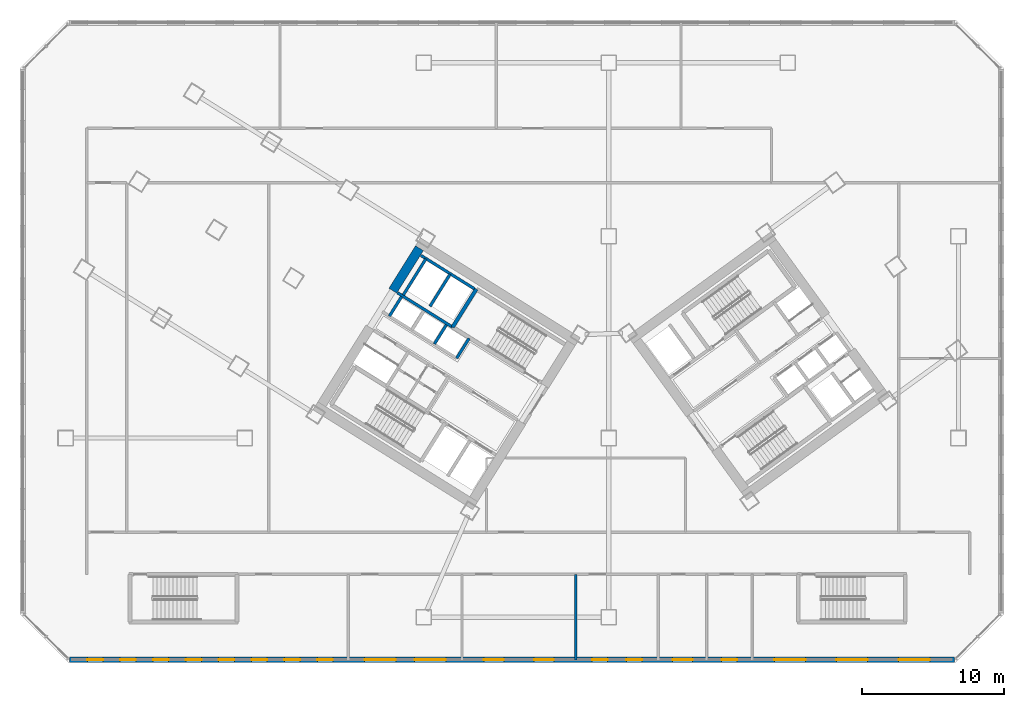
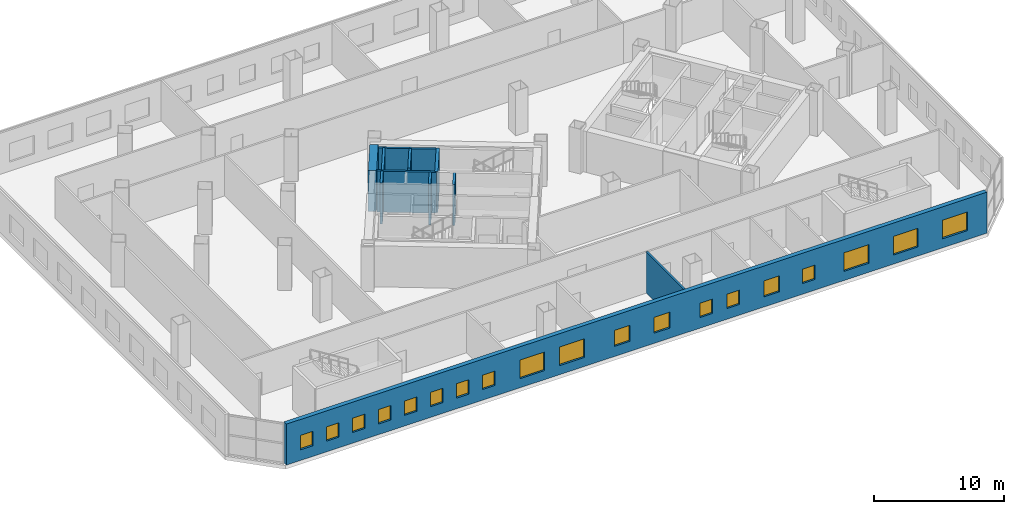
# One storey, part 11 of 22: 19 windows, 11 walls, 19 openings.
"""IFC4 building model written with IfcOpenShell, lengths in metres."""

from ifc_helpers import new_model, si_unit, direction, frame, frame_2d, origin, place, context, subcontext, project, spatial, rectangle, extrude, source, transform, mapped, material, layer, layer_set, type_object, element, fill, save


model = new_model("IFC4")

# Units and contexts
model_context = context("Model", 3, precision=1e-05, world=origin(), true_north=direction((0.0, 1.0)))
body_context = subcontext(model_context, "Body", "Model", "MODEL_VIEW")
ifc_project = project(units=[si_unit("LENGTHUNIT", "METRE"), si_unit("AREAUNIT", "SQUARE_METRE"), si_unit("VOLUMEUNIT", "CUBIC_METRE"), si_unit("PLANEANGLEUNIT", "RADIAN"), si_unit("MASSUNIT", "GRAM", prefix="KILO")], contexts=[model_context])

# Site, building, storey
site_placement = place(None, origin())
site = spatial("IfcSite", under=ifc_project, at=site_placement, CompositionType="ELEMENT")
building_placement = place(site_placement, origin())
building = spatial("IfcBuilding", under=site, at=building_placement, Name="Tlacorven Tower", CompositionType="ELEMENT")
storey_placement = place(building_placement, frame((0.0, 0.0, 14.39990234375)))
storey = spatial("IfcBuildingStorey", under=building, at=storey_placement, Name="L03", CompositionType="ELEMENT", Elevation=14.39990234375)

# Walls
ifc_material_1 = material(Name="Concrete C60/75", Category="concrete")
ifc_layer_1 = layer(ifc_material_1, 0.64990234375)
ifc_layer_set_1 = layer_set([ifc_layer_1], Name="Concrete C60/75")
wall_type_1 = type_object("IfcWallType", Name="WL-COR-650", PredefinedType="SHEAR", material=ifc_layer_set_1)
wall_1_placement = place(storey_placement, frame((29.49072265625, 30.5517578125, 0.0), z_axis=(0.0, 0.0, 1.0), x_axis=(-0.529893103397, -0.8480644427, 0.0)))
element("IfcWall", 1, at=wall_1_placement, inside=storey, type_object=wall_type_1, Name="L03 W core end wall E2.1", PredefinedType="SHEAR", context=body_context, shape_type="SweptSolid", body=[
    extrude(rectangle(XDim=3.525146484375, YDim=0.64990234375, at=frame_2d((1.7626953125, 0.0))), origin(), (0.0, 0.0, 1.0), 3.85009765625),
])
ifc_material_2 = material(Name="Gypsum plasterboard acoustic partition", Category="gypsum")
ifc_layer_2 = layer(ifc_material_2, 0.159912109375)
ifc_layer_set_2 = layer_set([ifc_layer_2], Name="Gypsum plasterboard acoustic partition")
wall_type_2 = type_object("IfcWallType", Name="WL-DEM-160", PredefinedType="PARTITIONING", material=ifc_layer_set_2)
wall_2_placement = place(storey_placement, frame((40.489990234375, 1.60009765625, 0.0), z_axis=(0.0, 0.0, 1.0), x_axis=(0.0, 1.0, 0.0)))
element("IfcWall", 2, at=wall_2_placement, inside=storey, type_object=wall_type_2, Name="L03 partition 71", PredefinedType="PARTITIONING", context=body_context, shape_type="SweptSolid", body=[
    extrude(rectangle(XDim=6.02001953125, YDim=0.159912109375, at=frame_2d((3.010009765625, 0.0))), origin(), (0.0, 0.0, 1.0), 3.840087890625),
])

# Wall, openings, windows
ifc_material_3 = material(Name="Precast concrete C45/55", Category="concrete")
ifc_layer_3 = layer(ifc_material_3, 0.3798828125)
ifc_layer_set_3 = layer_set([ifc_layer_3], Name="Precast concrete C45/55")
wall_type_3 = type_object("IfcWallType", Name="WL-EXT-380", PredefinedType="STANDARD", material=ifc_layer_set_3)
wall_3_placement = place(storey_placement, frame((67.1171875, 1.60009765625, 0.0), z_axis=(0.0, 0.0, 1.0), x_axis=(-1.0, 0.0, 0.0)))
wall_3 = element("IfcWall", 3, at=wall_3_placement, inside=storey, type_object=wall_type_3, Name="L03 Podium Masonry-Frame Facade Wall 8", PredefinedType="STANDARD", context=body_context, shape_type="SweptSolid", body=[
    extrude(rectangle(XDim=62.234375, YDim=0.3798828125, at=frame_2d((31.1171875, 0.0))), origin(), (0.0, 0.0, 1.0), 3.85009765625),
])
opening_1_placement = place(wall_3_placement, frame((1.734619140625, 0.0, 0.85009765625)))
opening_1 = element("IfcOpeningElement", 4, at=opening_1_placement, cuts=wall_3, Name="Opening WN14", PredefinedType="OPENING", context=body_context, shape_type="SweptSolid", body=[
    extrude(rectangle(XDim=2.199951171875, YDim=1.75, at=frame_2d((1.10009765625, 0.875))), frame((0.0, 0.199951171875, 0.0), z_axis=(0.0, -1.0, 0.0), x_axis=(1.0, 0.0, 0.0)), (0.0, 0.0, 1.0), 0.39990234375),
])
opening_2_placement = place(wall_3_placement, frame((6.103515625, 0.0, 0.85009765625)))
opening_2 = element("IfcOpeningElement", 5, at=opening_2_placement, cuts=wall_3, Name="Opening WN14", PredefinedType="OPENING", context=body_context, shape_type="SweptSolid", body=[
    extrude(rectangle(XDim=2.199951171875, YDim=1.75, at=frame_2d((1.10009765625, 0.875))), frame((0.0, 0.199951171875, 0.0), z_axis=(0.0, -1.0, 0.0), x_axis=(1.0, 0.0, 0.0)), (0.0, 0.0, 1.0), 0.39990234375),
])
opening_3_placement = place(wall_3_placement, frame((10.47265625, 0.0, 0.85009765625)))
opening_3 = element("IfcOpeningElement", 6, at=opening_3_placement, cuts=wall_3, Name="Opening WN14", PredefinedType="OPENING", context=body_context, shape_type="SweptSolid", body=[
    extrude(rectangle(XDim=2.199951171875, YDim=1.75, at=frame_2d((1.10009765625, 0.875))), frame((0.0, 0.199951171875, 0.0), z_axis=(0.0, -1.0, 0.0), x_axis=(1.0, 0.0, 0.0)), (0.0, 0.0, 1.0), 0.39990234375),
])
opening_4_placement = place(wall_3_placement, frame((15.277099609375, 0.0, 1.0)))
opening_4 = element("IfcOpeningElement", 7, at=opening_4_placement, cuts=wall_3, Name="Opening WN16", PredefinedType="OPENING", context=body_context, shape_type="SweptSolid", body=[
    extrude(rectangle(XDim=1.10009765625, YDim=1.35009765625, at=frame_2d((0.550048828125, 0.675048828125))), frame((0.0, 0.199951171875, 0.0), z_axis=(0.0, -1.0, 0.0), x_axis=(1.0, 0.0, 0.0)), (0.0, 0.0, 1.0), 0.39990234375),
])
opening_5_placement = place(wall_3_placement, frame((18.422119140625, 0.0, 0.949951171875)))
opening_5 = element("IfcOpeningElement", 8, at=opening_5_placement, cuts=wall_3, Name="Opening WN15", PredefinedType="OPENING", context=body_context, shape_type="SweptSolid", body=[
    extrude(rectangle(XDim=1.39990234375, YDim=1.5, at=frame_2d((0.699951171875, 0.75))), frame((0.0, 0.199951171875, 0.0), z_axis=(0.0, -1.0, 0.0), x_axis=(1.0, 0.0, 0.0)), (0.0, 0.0, 1.0), 0.39990234375),
])
opening_6_placement = place(wall_3_placement, frame((21.96728515625, 0.0, 1.0)))
opening_6 = element("IfcOpeningElement", 9, at=opening_6_placement, cuts=wall_3, Name="Opening WN16", PredefinedType="OPENING", context=body_context, shape_type="SweptSolid", body=[
    extrude(rectangle(XDim=1.10009765625, YDim=1.35009765625, at=frame_2d((0.550048828125, 0.675048828125))), frame((0.0, 0.199951171875, 0.0), z_axis=(0.0, -1.0, 0.0), x_axis=(1.0, 0.0, 0.0)), (0.0, 0.0, 1.0), 0.39990234375),
])
opening_7_placement = place(wall_3_placement, frame((24.38720703125, 0.0, 1.0)))
opening_7 = element("IfcOpeningElement", 10, at=opening_7_placement, cuts=wall_3, Name="Opening WN16", PredefinedType="OPENING", context=body_context, shape_type="SweptSolid", body=[
    extrude(rectangle(XDim=1.10009765625, YDim=1.35009765625, at=frame_2d((0.550048828125, 0.675048828125))), frame((0.0, 0.199951171875, 0.0), z_axis=(0.0, -1.0, 0.0), x_axis=(1.0, 0.0, 0.0)), (0.0, 0.0, 1.0), 0.39990234375),
])
opening_8_placement = place(wall_3_placement, frame((28.167236328125, 0.0, 0.949951171875)))
opening_8 = element("IfcOpeningElement", 11, at=opening_8_placement, cuts=wall_3, Name="Opening WN15", PredefinedType="OPENING", context=body_context, shape_type="SweptSolid", body=[
    extrude(rectangle(XDim=1.39990234375, YDim=1.5, at=frame_2d((0.699951171875, 0.75))), frame((0.0, 0.199951171875, 0.0), z_axis=(0.0, -1.0, 0.0), x_axis=(1.0, 0.0, 0.0)), (0.0, 0.0, 1.0), 0.39990234375),
])
opening_9_placement = place(wall_3_placement, frame((31.687255859375, 0.0, 0.949951171875)))
opening_9 = element("IfcOpeningElement", 12, at=opening_9_placement, cuts=wall_3, Name="Opening WN15", PredefinedType="OPENING", context=body_context, shape_type="SweptSolid", body=[
    extrude(rectangle(XDim=1.39990234375, YDim=1.5, at=frame_2d((0.699951171875, 0.75))), frame((0.0, 0.199951171875, 0.0), z_axis=(0.0, -1.0, 0.0), x_axis=(1.0, 0.0, 0.0)), (0.0, 0.0, 1.0), 0.39990234375),
])
opening_10_placement = place(wall_3_placement, frame((35.76708984375, 0.0, 0.85009765625)))
opening_10 = element("IfcOpeningElement", 13, at=opening_10_placement, cuts=wall_3, Name="Opening WN14", PredefinedType="OPENING", context=body_context, shape_type="SweptSolid", body=[
    extrude(rectangle(XDim=2.199951171875, YDim=1.75, at=frame_2d((1.10009765625, 0.875))), frame((0.0, 0.199951171875, 0.0), z_axis=(0.0, -1.0, 0.0), x_axis=(1.0, 0.0, 0.0)), (0.0, 0.0, 1.0), 0.39990234375),
])
opening_11_placement = place(wall_3_placement, frame((39.287109375, 0.0, 0.85009765625)))
opening_11 = element("IfcOpeningElement", 14, at=opening_11_placement, cuts=wall_3, Name="Opening WN14", PredefinedType="OPENING", context=body_context, shape_type="SweptSolid", body=[
    extrude(rectangle(XDim=2.199951171875, YDim=1.75, at=frame_2d((1.10009765625, 0.875))), frame((0.0, 0.199951171875, 0.0), z_axis=(0.0, -1.0, 0.0), x_axis=(1.0, 0.0, 0.0)), (0.0, 0.0, 1.0), 0.39990234375),
])
opening_12_placement = place(wall_3_placement, frame((43.7119140625, 0.0, 1.0)))
opening_12 = element("IfcOpeningElement", 15, at=opening_12_placement, cuts=wall_3, Name="Opening WN16", PredefinedType="OPENING", context=body_context, shape_type="SweptSolid", body=[
    extrude(rectangle(XDim=1.10009765625, YDim=1.35009765625, at=frame_2d((0.550048828125, 0.675048828125))), frame((0.0, 0.199951171875, 0.0), z_axis=(0.0, -1.0, 0.0), x_axis=(1.0, 0.0, 0.0)), (0.0, 0.0, 1.0), 0.39990234375),
])
opening_13_placement = place(wall_3_placement, frame((46.021484375, 0.0, 1.0)))
opening_13 = element("IfcOpeningElement", 16, at=opening_13_placement, cuts=wall_3, Name="Opening WN16", PredefinedType="OPENING", context=body_context, shape_type="SweptSolid", body=[
    extrude(rectangle(XDim=1.10009765625, YDim=1.35009765625, at=frame_2d((0.550048828125, 0.675048828125))), frame((0.0, 0.199951171875, 0.0), z_axis=(0.0, -1.0, 0.0), x_axis=(1.0, 0.0, 0.0)), (0.0, 0.0, 1.0), 0.39990234375),
])
opening_14_placement = place(wall_3_placement, frame((48.331298828125, 0.0, 1.0)))
opening_14 = element("IfcOpeningElement", 17, at=opening_14_placement, cuts=wall_3, Name="Opening WN16", PredefinedType="OPENING", context=body_context, shape_type="SweptSolid", body=[
    extrude(rectangle(XDim=1.10009765625, YDim=1.35009765625, at=frame_2d((0.550048828125, 0.675048828125))), frame((0.0, 0.199951171875, 0.0), z_axis=(0.0, -1.0, 0.0), x_axis=(1.0, 0.0, 0.0)), (0.0, 0.0, 1.0), 0.39990234375),
])
opening_15_placement = place(wall_3_placement, frame((50.640869140625, 0.0, 1.0)))
opening_15 = element("IfcOpeningElement", 18, at=opening_15_placement, cuts=wall_3, Name="Opening WN16", PredefinedType="OPENING", context=body_context, shape_type="SweptSolid", body=[
    extrude(rectangle(XDim=1.10009765625, YDim=1.35009765625, at=frame_2d((0.550048828125, 0.675048828125))), frame((0.0, 0.199951171875, 0.0), z_axis=(0.0, -1.0, 0.0), x_axis=(1.0, 0.0, 0.0)), (0.0, 0.0, 1.0), 0.39990234375),
])
opening_16_placement = place(wall_3_placement, frame((52.95068359375, 0.0, 1.0)))
opening_16 = element("IfcOpeningElement", 19, at=opening_16_placement, cuts=wall_3, Name="Opening WN16", PredefinedType="OPENING", context=body_context, shape_type="SweptSolid", body=[
    extrude(rectangle(XDim=1.10009765625, YDim=1.35009765625, at=frame_2d((0.550048828125, 0.675048828125))), frame((0.0, 0.199951171875, 0.0), z_axis=(0.0, -1.0, 0.0), x_axis=(1.0, 0.0, 0.0)), (0.0, 0.0, 1.0), 0.39990234375),
])
opening_17_placement = place(wall_3_placement, frame((55.26025390625, 0.0, 1.0)))
opening_17 = element("IfcOpeningElement", 20, at=opening_17_placement, cuts=wall_3, Name="Opening WN16", PredefinedType="OPENING", context=body_context, shape_type="SweptSolid", body=[
    extrude(rectangle(XDim=1.10009765625, YDim=1.35009765625, at=frame_2d((0.550048828125, 0.675048828125))), frame((0.0, 0.199951171875, 0.0), z_axis=(0.0, -1.0, 0.0), x_axis=(1.0, 0.0, 0.0)), (0.0, 0.0, 1.0), 0.39990234375),
])
opening_18_placement = place(wall_3_placement, frame((57.56982421875, 0.0, 1.0)))
opening_18 = element("IfcOpeningElement", 21, at=opening_18_placement, cuts=wall_3, Name="Opening WN16", PredefinedType="OPENING", context=body_context, shape_type="SweptSolid", body=[
    extrude(rectangle(XDim=1.10009765625, YDim=1.35009765625, at=frame_2d((0.550048828125, 0.675048828125))), frame((0.0, 0.199951171875, 0.0), z_axis=(0.0, -1.0, 0.0), x_axis=(1.0, 0.0, 0.0)), (0.0, 0.0, 1.0), 0.39990234375),
])
opening_19_placement = place(wall_3_placement, frame((59.87939453125, 0.0, 1.0)))
opening_19 = element("IfcOpeningElement", 22, at=opening_19_placement, cuts=wall_3, Name="Opening WN16", PredefinedType="OPENING", context=body_context, shape_type="SweptSolid", body=[
    extrude(rectangle(XDim=1.10009765625, YDim=1.35009765625, at=frame_2d((0.550048828125, 0.675048828125))), frame((0.0, 0.199951171875, 0.0), z_axis=(0.0, -1.0, 0.0), x_axis=(1.0, 0.0, 0.0)), (0.0, 0.0, 1.0), 0.39990234375),
])
ifc_material_4 = material(Name="Dark solar low-E double glazing in anodised aluminium frame", Category="aluminium")
window_type_1 = type_object("IfcWindowType", Name="WN-CLN-2200X1850", PartitioningType="SINGLE_PANEL", PredefinedType="WINDOW", material=ifc_material_4)
shared_shape_1 = source(origin(), body_context, "Body", "SweptSolid", [
    extrude(rectangle(XDim=2.199951171875, YDim=1.75, at=frame_2d((1.10009765625, 0.875))), frame((0.0, 0.030029296875, 0.0), z_axis=(0.0, -1.0, 0.0), x_axis=(1.0, 0.0, 0.0)), (0.0, 0.0, 1.0), 0.06005859375),
])
window_1_placement = place(opening_1_placement, origin())
window_1 = element("IfcWindow", 23, at=window_1_placement, inside=storey, type_object=window_type_1, Name="L03 Podium Recessed Facade Window 8.1", OverallHeight=1.75, OverallWidth=2.199951171875, PartitioningType="SINGLE_PANEL", PredefinedType="WINDOW", context=body_context, shape_type="MappedRepresentation", body=[
    mapped(shared_shape_1, transform((0.0, 0.0, 0.0), scale=1.0)),
])
fill(opening_1, window_1)
window_2_placement = place(opening_2_placement, origin())
window_2 = element("IfcWindow", 24, at=window_2_placement, inside=storey, type_object=window_type_1, Name="L03 Podium Recessed Facade Window 8.2", OverallHeight=1.75, OverallWidth=2.199951171875, PartitioningType="SINGLE_PANEL", PredefinedType="WINDOW", context=body_context, shape_type="MappedRepresentation", body=[
    mapped(shared_shape_1, transform((0.0, 0.0, 0.0), scale=1.0)),
])
fill(opening_2, window_2)
window_3_placement = place(opening_3_placement, origin())
window_3 = element("IfcWindow", 25, at=window_3_placement, inside=storey, type_object=window_type_1, Name="L03 Podium Recessed Facade Window 8.3", OverallHeight=1.75, OverallWidth=2.199951171875, PartitioningType="SINGLE_PANEL", PredefinedType="WINDOW", context=body_context, shape_type="MappedRepresentation", body=[
    mapped(shared_shape_1, transform((0.0, 0.0, 0.0), scale=1.0)),
])
fill(opening_3, window_3)
window_4_placement = place(opening_10_placement, origin())
window_4 = element("IfcWindow", 26, at=window_4_placement, inside=storey, type_object=window_type_1, Name="L03 Podium Recessed Facade Window 8.10", OverallHeight=1.75, OverallWidth=2.199951171875, PartitioningType="SINGLE_PANEL", PredefinedType="WINDOW", context=body_context, shape_type="MappedRepresentation", body=[
    mapped(shared_shape_1, transform((0.0, 0.0, 0.0), scale=1.0)),
])
fill(opening_10, window_4)
window_5_placement = place(opening_11_placement, origin())
window_5 = element("IfcWindow", 27, at=window_5_placement, inside=storey, type_object=window_type_1, Name="L03 Podium Recessed Facade Window 8.11", OverallHeight=1.75, OverallWidth=2.199951171875, PartitioningType="SINGLE_PANEL", PredefinedType="WINDOW", context=body_context, shape_type="MappedRepresentation", body=[
    mapped(shared_shape_1, transform((0.0, 0.0, 0.0), scale=1.0)),
])
fill(opening_11, window_5)
window_type_2 = type_object("IfcWindowType", Name="WN-CLN-1100X1400", PartitioningType="SINGLE_PANEL", PredefinedType="WINDOW", material=ifc_material_4)
shared_shape_2 = source(origin(), body_context, "Body", "SweptSolid", [
    extrude(rectangle(XDim=1.10009765625, YDim=1.35009765625, at=frame_2d((0.550048828125, 0.675048828125))), frame((0.0, 0.030029296875, 0.0), z_axis=(0.0, -1.0, 0.0), x_axis=(1.0, 0.0, 0.0)), (0.0, 0.0, 1.0), 0.06005859375),
])
window_6_placement = place(opening_4_placement, origin())
window_6 = element("IfcWindow", 28, at=window_6_placement, inside=storey, type_object=window_type_2, Name="L03 Podium Recessed Facade Window 8.4", OverallHeight=1.35009765625, OverallWidth=1.10009765625, PartitioningType="SINGLE_PANEL", PredefinedType="WINDOW", context=body_context, shape_type="MappedRepresentation", body=[
    mapped(shared_shape_2, transform((0.0, 0.0, 0.0), scale=1.0)),
])
fill(opening_4, window_6)
window_7_placement = place(opening_6_placement, origin())
window_7 = element("IfcWindow", 29, at=window_7_placement, inside=storey, type_object=window_type_2, Name="L03 Podium Recessed Facade Window 8.6", OverallHeight=1.35009765625, OverallWidth=1.10009765625, PartitioningType="SINGLE_PANEL", PredefinedType="WINDOW", context=body_context, shape_type="MappedRepresentation", body=[
    mapped(shared_shape_2, transform((0.0, 0.0, 0.0), scale=1.0)),
])
fill(opening_6, window_7)
window_8_placement = place(opening_7_placement, origin())
window_8 = element("IfcWindow", 30, at=window_8_placement, inside=storey, type_object=window_type_2, Name="L03 Podium Recessed Facade Window 8.7", OverallHeight=1.35009765625, OverallWidth=1.10009765625, PartitioningType="SINGLE_PANEL", PredefinedType="WINDOW", context=body_context, shape_type="MappedRepresentation", body=[
    mapped(shared_shape_2, transform((0.0, 0.0, 0.0), scale=1.0)),
])
fill(opening_7, window_8)
window_9_placement = place(opening_12_placement, origin())
window_9 = element("IfcWindow", 31, at=window_9_placement, inside=storey, type_object=window_type_2, Name="L03 Podium Recessed Facade Window 8.12", OverallHeight=1.35009765625, OverallWidth=1.10009765625, PartitioningType="SINGLE_PANEL", PredefinedType="WINDOW", context=body_context, shape_type="MappedRepresentation", body=[
    mapped(shared_shape_2, transform((0.0, 0.0, 0.0), scale=1.0)),
])
fill(opening_12, window_9)
window_10_placement = place(opening_13_placement, origin())
window_10 = element("IfcWindow", 32, at=window_10_placement, inside=storey, type_object=window_type_2, Name="L03 Podium Recessed Facade Window 8.13", OverallHeight=1.35009765625, OverallWidth=1.10009765625, PartitioningType="SINGLE_PANEL", PredefinedType="WINDOW", context=body_context, shape_type="MappedRepresentation", body=[
    mapped(shared_shape_2, transform((0.0, 0.0, 0.0), scale=1.0)),
])
fill(opening_13, window_10)
window_11_placement = place(opening_14_placement, origin())
window_11 = element("IfcWindow", 33, at=window_11_placement, inside=storey, type_object=window_type_2, Name="L03 Podium Recessed Facade Window 8.14", OverallHeight=1.35009765625, OverallWidth=1.10009765625, PartitioningType="SINGLE_PANEL", PredefinedType="WINDOW", context=body_context, shape_type="MappedRepresentation", body=[
    mapped(shared_shape_2, transform((0.0, 0.0, 0.0), scale=1.0)),
])
fill(opening_14, window_11)
window_12_placement = place(opening_15_placement, origin())
window_12 = element("IfcWindow", 34, at=window_12_placement, inside=storey, type_object=window_type_2, Name="L03 Podium Recessed Facade Window 8.15", OverallHeight=1.35009765625, OverallWidth=1.10009765625, PartitioningType="SINGLE_PANEL", PredefinedType="WINDOW", context=body_context, shape_type="MappedRepresentation", body=[
    mapped(shared_shape_2, transform((0.0, 0.0, 0.0), scale=1.0)),
])
fill(opening_15, window_12)
window_13_placement = place(opening_16_placement, origin())
window_13 = element("IfcWindow", 35, at=window_13_placement, inside=storey, type_object=window_type_2, Name="L03 Podium Recessed Facade Window 8.16", OverallHeight=1.35009765625, OverallWidth=1.10009765625, PartitioningType="SINGLE_PANEL", PredefinedType="WINDOW", context=body_context, shape_type="MappedRepresentation", body=[
    mapped(shared_shape_2, transform((0.0, 0.0, 0.0), scale=1.0)),
])
fill(opening_16, window_13)
window_14_placement = place(opening_17_placement, origin())
window_14 = element("IfcWindow", 36, at=window_14_placement, inside=storey, type_object=window_type_2, Name="L03 Podium Recessed Facade Window 8.17", OverallHeight=1.35009765625, OverallWidth=1.10009765625, PartitioningType="SINGLE_PANEL", PredefinedType="WINDOW", context=body_context, shape_type="MappedRepresentation", body=[
    mapped(shared_shape_2, transform((0.0, 0.0, 0.0), scale=1.0)),
])
fill(opening_17, window_14)
window_15_placement = place(opening_18_placement, origin())
window_15 = element("IfcWindow", 37, at=window_15_placement, inside=storey, type_object=window_type_2, Name="L03 Podium Recessed Facade Window 8.18", OverallHeight=1.35009765625, OverallWidth=1.10009765625, PartitioningType="SINGLE_PANEL", PredefinedType="WINDOW", context=body_context, shape_type="MappedRepresentation", body=[
    mapped(shared_shape_2, transform((0.0, 0.0, 0.0), scale=1.0)),
])
fill(opening_18, window_15)
window_16_placement = place(opening_19_placement, origin())
window_16 = element("IfcWindow", 38, at=window_16_placement, inside=storey, type_object=window_type_2, Name="L03 Podium Recessed Facade Window 8.19", OverallHeight=1.35009765625, OverallWidth=1.10009765625, PartitioningType="SINGLE_PANEL", PredefinedType="WINDOW", context=body_context, shape_type="MappedRepresentation", body=[
    mapped(shared_shape_2, transform((0.0, 0.0, 0.0), scale=1.0)),
])
fill(opening_19, window_16)
window_type_3 = type_object("IfcWindowType", Name="WN-CLN-1400X1600", PartitioningType="SINGLE_PANEL", PredefinedType="WINDOW", material=ifc_material_4)
shared_shape_3 = source(origin(), body_context, "Body", "SweptSolid", [
    extrude(rectangle(XDim=1.39990234375, YDim=1.5, at=frame_2d((0.699951171875, 0.75))), frame((0.0, 0.030029296875, 0.0), z_axis=(0.0, -1.0, 0.0), x_axis=(1.0, 0.0, 0.0)), (0.0, 0.0, 1.0), 0.06005859375),
])
window_17_placement = place(opening_5_placement, origin())
window_17 = element("IfcWindow", 39, at=window_17_placement, inside=storey, type_object=window_type_3, Name="L03 Podium Recessed Facade Window 8.5", OverallHeight=1.5, OverallWidth=1.39990234375, PartitioningType="SINGLE_PANEL", PredefinedType="WINDOW", context=body_context, shape_type="MappedRepresentation", body=[
    mapped(shared_shape_3, transform((0.0, 0.0, 0.0), scale=1.0)),
])
fill(opening_5, window_17)
window_18_placement = place(opening_8_placement, origin())
window_18 = element("IfcWindow", 40, at=window_18_placement, inside=storey, type_object=window_type_3, Name="L03 Podium Recessed Facade Window 8.8", OverallHeight=1.5, OverallWidth=1.39990234375, PartitioningType="SINGLE_PANEL", PredefinedType="WINDOW", context=body_context, shape_type="MappedRepresentation", body=[
    mapped(shared_shape_3, transform((0.0, 0.0, 0.0), scale=1.0)),
])
fill(opening_8, window_18)
window_19_placement = place(opening_9_placement, origin())
window_19 = element("IfcWindow", 41, at=window_19_placement, inside=storey, type_object=window_type_3, Name="L03 Podium Recessed Facade Window 8.9", OverallHeight=1.5, OverallWidth=1.39990234375, PartitioningType="SINGLE_PANEL", PredefinedType="WINDOW", context=body_context, shape_type="MappedRepresentation", body=[
    mapped(shared_shape_3, transform((0.0, 0.0, 0.0), scale=1.0)),
])
fill(opening_9, window_19)

# Walls
ifc_material_5 = material(Name="Concrete C40/50", Category="concrete")
ifc_layer_4 = layer(ifc_material_5, 0.199951171875)
ifc_layer_set_4 = layer_set([ifc_layer_4], Name="Concrete C40/50")
wall_type_4 = type_object("IfcWallType", Name="WL-SHF-200", PredefinedType="STANDARD", material=ifc_layer_set_4)
wall_4_placement = place(storey_placement, frame((31.82177734375, 24.99755859375, 0.0), z_axis=(0.0, 0.0, 1.0), x_axis=(-0.848058348634, 0.529902856485, 0.0)))
element("IfcWall", 42, at=wall_4_placement, inside=storey, type_object=wall_type_4, Name="L03 Core W South Lift Shaft Wall", PredefinedType="STANDARD", context=body_context, shape_type="SweptSolid", body=[
    extrude(rectangle(XDim=4.568115234375, YDim=0.199951171875, at=frame_2d((2.2841796875, 0.0))), origin(), (0.0, 0.0, 1.0), 3.840087890625),
])
wall_5_placement = place(storey_placement, frame((32.982421875, 24.21337890625, 0.0), z_axis=(0.0, 0.0, 1.0), x_axis=(-0.529839334948, -0.84809803628, 0.0)))
element("IfcWall", 43, at=wall_5_placement, inside=storey, type_object=wall_type_4, Name="L03 partition 12", PredefinedType="STANDARD", context=body_context, shape_type="SweptSolid", body=[
    extrude(rectangle(XDim=1.650146484375, YDim=0.199951171875, at=frame_2d((0.8251953125, 0.0))), origin(), (0.0, 0.0, 1.0), 3.840087890625),
])
wall_6_placement = place(storey_placement, frame((31.645263671875, 28.716064453125, 0.0), z_axis=(0.0, 0.0, 1.0), x_axis=(-0.52986693015, -0.848080795876, 0.0)))
element("IfcWall", 44, at=wall_6_placement, inside=storey, type_object=wall_type_4, Name="L03 partition 14", PredefinedType="STANDARD", context=body_context, shape_type="SweptSolid", body=[
    extrude(rectangle(XDim=2.659912109375, YDim=0.199951171875, at=frame_2d((1.330078125, 0.0))), origin(), (0.0, 0.0, 1.0), 3.840087890625),
])
wall_7_placement = place(storey_placement, frame((33.362548828125, 27.690185546875, 0.0), z_axis=(0.0, 0.0, 1.0), x_axis=(-0.848053806312, 0.529910125964, 0.0)))
element("IfcWall", 45, at=wall_7_placement, inside=storey, type_object=wall_type_4, Name="L03 partition 16", PredefinedType="STANDARD", context=body_context, shape_type="SweptSolid", body=[
    extrude(rectangle(XDim=4.44775390625, YDim=0.199951171875, at=frame_2d((2.223876953125, 0.0))), origin(), (0.0, 0.0, 1.0), 3.840087890625),
])
wall_8_placement = place(storey_placement, frame((29.94287109375, 29.803466796875, 0.0), z_axis=(0.0, 0.0, 1.0), x_axis=(-0.529874576144, -0.848076018737, 0.0)))
element("IfcWall", 46, at=wall_8_placement, inside=storey, type_object=wall_type_4, Name="L03 partition 17", PredefinedType="STANDARD", context=body_context, shape_type="SweptSolid", body=[
    extrude(rectangle(XDim=3.0, YDim=0.199951171875, at=frame_2d((1.5, 0.0))), origin(), (0.0, 0.0, 1.0), 3.840087890625),
])
wall_9_placement = place(storey_placement, frame((31.378662109375, 25.156494140625, 0.0), z_axis=(0.0, 0.0, 1.0), x_axis=(-0.529998940003, -0.847998304005, 0.0)))
element("IfcWall", 47, at=wall_9_placement, inside=storey, type_object=wall_type_4, Name="L03 partition 18", PredefinedType="STANDARD", context=body_context, shape_type="SweptSolid", body=[
    extrude(rectangle(XDim=1.580078125, YDim=0.199951171875, at=frame_2d((0.7900390625, 0.0))), origin(), (0.0, 0.0, 1.0), 3.840087890625),
])
wall_10_placement = place(storey_placement, frame((28.234375, 27.144775390625, 0.0), z_axis=(0.0, 0.0, 1.0), x_axis=(-0.529904106539, -0.848057567547, 0.0)))
element("IfcWall", 48, at=wall_10_placement, inside=storey, type_object=wall_type_4, Name="L03 partition 20", PredefinedType="STANDARD", context=body_context, shape_type="SweptSolid", body=[
    extrude(rectangle(XDim=1.619873046875, YDim=0.199951171875, at=frame_2d((0.81005859375, 0.0))), origin(), (0.0, 0.0, 1.0), 3.840087890625),
])
ifc_material_6 = material(Name="Concrete C50/60", Category="concrete")
ifc_layer_5 = layer(ifc_material_6, 0.260009765625)
ifc_layer_set_5 = layer_set([ifc_layer_5], Name="Concrete C50/60")
wall_type_5 = type_object("IfcWallType", Name="WL-STW-260", PredefinedType="SHEAR", material=ifc_layer_set_5)
wall_11_placement = place(storey_placement, frame((33.496337890625, 27.677490234375, 0.0), z_axis=(0.0, 0.0, 1.0), x_axis=(-0.529908658664, -0.84805472316, 0.0)))
element("IfcWall", 49, at=wall_11_placement, inside=storey, type_object=wall_type_5, Name="L03 Stair W2 East Shear Wall", PredefinedType="SHEAR", context=body_context, shape_type="SweptSolid", body=[
    extrude(rectangle(XDim=3.16015625, YDim=0.260009765625, at=frame_2d((1.580078125, 0.0))), origin(), (0.0, 0.0, 1.0), 3.85009765625),
])

save(model, "model.ifc")
